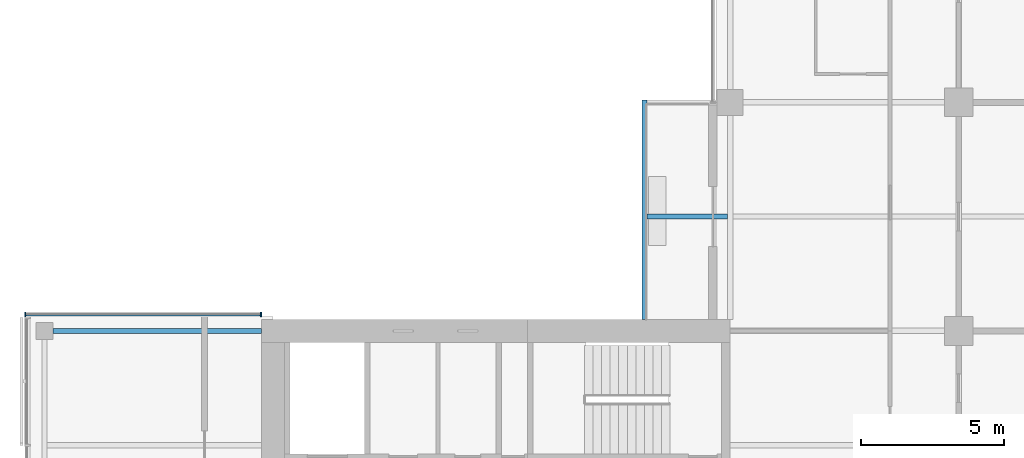
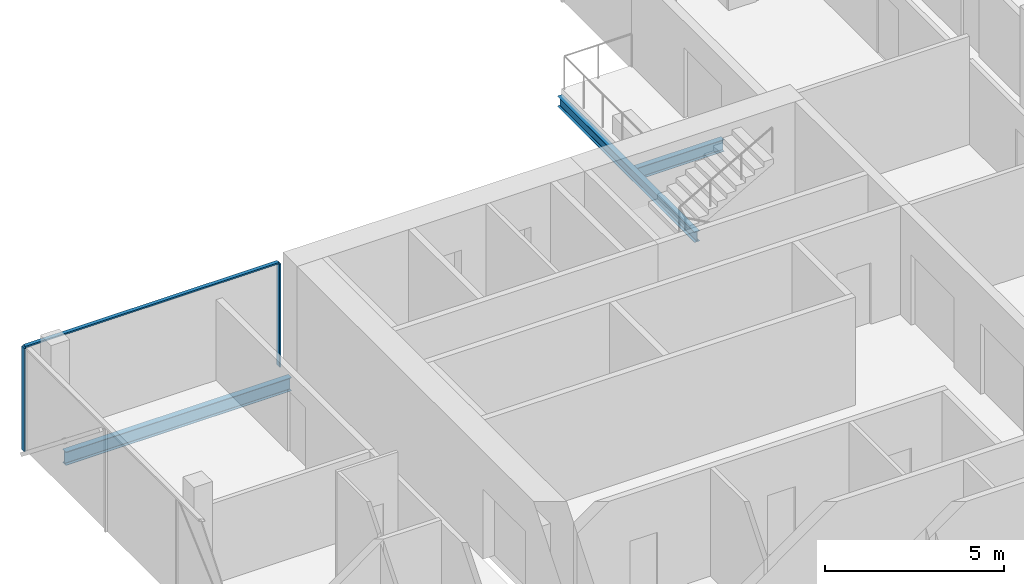
# One storey, part 8 of 27: 3 beams, 3 members, 1 element without a shape of its own.
"""IFC4 building model written with IfcOpenShell, lengths in metres."""

from ifc_helpers import new_model, si_unit, direction, frame, origin, origin_2d, place, context, subcontext, project, spatial, rectangle, i_section, extrude, material, material_profile, profile_set, type_object, element, aggregate, save


model = new_model("IFC4")

# Units and contexts
model_context = context("Model", 3, precision=1e-05, world=origin(), true_north=direction((0.0, 1.0)))
body_context = subcontext(model_context, "Body", "Model", "MODEL_VIEW")
ifc_project = project(units=[si_unit("LENGTHUNIT", "METRE"), si_unit("AREAUNIT", "SQUARE_METRE"), si_unit("VOLUMEUNIT", "CUBIC_METRE"), si_unit("PLANEANGLEUNIT", "RADIAN"), si_unit("MASSUNIT", "GRAM", prefix="KILO")], contexts=[model_context])

# Site, building, storey
site_placement = place(None, origin())
site = spatial("IfcSite", under=ifc_project, at=site_placement, CompositionType="ELEMENT")
building_placement = place(site_placement, origin())
building = spatial("IfcBuilding", under=site, at=building_placement, Name="Crosswind Convention Tower", CompositionType="ELEMENT")
storey_placement = place(building_placement, frame((0.0, 0.0, 101.60009765625)))
storey = spatial("IfcBuildingStorey", under=building, at=storey_placement, Name="L20", CompositionType="ELEMENT", Elevation=101.60009765625)

# Beams
ifc_material_1 = material(Name="Steel S355", Category="steel")
ifc_material_profile_1 = material_profile(ifc_material_1, i_section(OverallWidth=0.177734375, OverallDepth=0.406494140625, WebThickness=0.0078125, FlangeThickness=0.0126953125, FilletRadius=0.01025390625, at=origin_2d()), Name="UB 406x178x60")
ifc_profile_set_1 = profile_set([ifc_material_profile_1], Name="Steel S355")
beam_type_1 = type_object("IfcBeamType", Name="Balcony cantilever UB 406x178x60", PredefinedType="BEAM", material=ifc_profile_set_1)
beam_1_placement = place(storey_placement, frame((112.90478515625, 116.0, -0.4833984375), z_axis=(-1.0, 0.0, 0.0), x_axis=(0.0, -1.0, 0.0)))
element("IfcBeam", 1, at=beam_1_placement, inside=storey, type_object=beam_type_1, Name="B35 L20 balcony cantilever NW 4", PredefinedType="BEAM", context=body_context, shape_type="SweptSolid", body=[
    extrude(i_section(OverallWidth=0.177734375, OverallDepth=0.406494140625, WebThickness=0.0078125, FlangeThickness=0.0126953125, FilletRadius=0.01025390625, at=origin_2d()), origin(), (0.0, 0.0, 1.0), 2.8193359375),
])
ifc_material_profile_2 = material_profile(ifc_material_1, i_section(OverallWidth=0.1708984375, OverallDepth=0.35205078125, WebThickness=0.0068359375, FlangeThickness=0.009765625, FilletRadius=0.01025390625, at=origin_2d()), Name="UB 356x171x45")
ifc_profile_set_2 = profile_set([ifc_material_profile_2], Name="Steel S355")
beam_type_2 = type_object("IfcBeamType", Name="Balcony edge beam UB 356x171x45", PredefinedType="BEAM", material=ifc_profile_set_2)
beam_2_placement = place(storey_placement, frame((110.0, 112.39990234375, -0.4560546875), z_axis=(0.0, 1.0, 0.0), x_axis=(-1.0, 0.0, 0.0)))
element("IfcBeam", 2, at=beam_2_placement, inside=storey, type_object=beam_type_2, Name="B37 L20 balcony edge beam NW 6", PredefinedType="BEAM", context=body_context, shape_type="SweptSolid", body=[
    extrude(i_section(OverallWidth=0.1708984375, OverallDepth=0.35205078125, WebThickness=0.0068359375, FlangeThickness=0.009765625, FilletRadius=0.01025390625, at=origin_2d()), origin(), (0.0, 0.0, 1.0), 7.68896484375),
])
ifc_material_profile_3 = material_profile(ifc_material_1, i_section(OverallWidth=0.1904296875, OverallDepth=0.457275390625, WebThickness=0.009033203125, FlangeThickness=0.014404296875, FilletRadius=0.01025390625, at=origin_2d()), Name="UB 457x191x75")
ifc_profile_set_3 = profile_set([ifc_material_profile_3], Name="Steel S355")
beam_type_3 = type_object("IfcBeamType", Name="Edge beam UB 457x191x75", PredefinedType="SPANDREL", material=ifc_profile_set_3)
beam_3_placement = place(storey_placement, frame((89.300048828125, 112.0, -0.5087890625), z_axis=(1.0, 0.0, 0.0), x_axis=(0.0, 1.0, 0.0)))
element("IfcBeam", 3, at=beam_3_placement, inside=storey, type_object=beam_type_3, Name="B17 L20 edge beam 5", PredefinedType="SPANDREL", context=body_context, shape_type="SweptSolid", body=[
    extrude(i_section(OverallWidth=0.1904296875, OverallDepth=0.457275390625, WebThickness=0.009033203125, FlangeThickness=0.014404296875, FilletRadius=0.01025390625, at=origin_2d()), origin(), (0.0, 0.0, 1.0), 7.300048828125),
])

# Curtain wall, members
ifc_material_2 = material(Name="Aluminium unitised curtain wall", Category="aluminium")
curtain_wall_type = type_object("IfcCurtainWallType", Name="CORE END SLOT WALL 160", PredefinedType="USERDEFINED", material=ifc_material_2)
curtain_wall_placement = place(storey_placement, origin())
curtain_wall = element("IfcCurtainWall", 4, at=curtain_wall_placement, inside=storey, type_object=curtain_wall_type, Name="CW6 L20 W-N.2-1 slot", ObjectType="UNITISED", PredefinedType="USERDEFINED")
ifc_material_3 = material(Name="Aluminium mullion", Category="aluminium")
ifc_material_profile_4 = material_profile(ifc_material_3, rectangle(XDim=0.159912109375, YDim=0.050048828125, at=origin_2d()), Name="AL 160X50")
ifc_profile_set_4 = profile_set([ifc_material_profile_4], Name="Aluminium mullion")
member_type_1 = type_object("IfcMemberType", Name="MULLION 50X160", PredefinedType="MULLION", material=ifc_profile_set_4)
member_1_placement = place(storey_placement, frame((96.574951171875, 112.580078125, -0.280029296875), z_axis=(0.0, 0.0, 1.0), x_axis=(0.0, 1.0, 0.0)))
member_1 = element("IfcMember", 5, at=member_1_placement, type_object=member_type_1, Name="CW6 mullion 1", PredefinedType="MULLION", context=body_context, shape_type="SweptSolid", body=[
    extrude(rectangle(XDim=0.159912109375, YDim=0.050048828125, at=origin_2d()), origin(), (0.0, 0.0, 1.0), 3.530029296875),
])
member_2_placement = place(storey_placement, frame((88.324951171875, 112.580078125, -0.280029296875), z_axis=(0.0, 0.0, 1.0), x_axis=(0.0, 1.0, 0.0)))
member_2 = element("IfcMember", 6, at=member_2_placement, type_object=member_type_1, Name="CW6 mullion 2", PredefinedType="MULLION", context=body_context, shape_type="SweptSolid", body=[
    extrude(rectangle(XDim=0.159912109375, YDim=0.050048828125, at=origin_2d()), origin(), (0.0, 0.0, 1.0), 3.530029296875),
])
ifc_material_4 = material(Name="Aluminium transom", Category="aluminium")
ifc_material_profile_5 = material_profile(ifc_material_4, rectangle(XDim=0.1201171875, YDim=0.050048828125, at=origin_2d()), Name="AL 120X50")
ifc_profile_set_5 = profile_set([ifc_material_profile_5], Name="Aluminium transom")
member_type_2 = type_object("IfcMemberType", Name="TRANSOM 50X120", PredefinedType="USERDEFINED", material=ifc_profile_set_5)
member_3_placement = place(storey_placement, frame((96.550048828125, 112.580078125, 3.27490234375), z_axis=(-1.0, 0.0, 0.0), x_axis=(0.0, -1.0, 0.0)))
member_3 = element("IfcMember", 7, at=member_3_placement, type_object=member_type_2, Name="CW6 transom", ObjectType="TRANSOM", PredefinedType="USERDEFINED", context=body_context, shape_type="SweptSolid", body=[
    extrude(rectangle(XDim=0.1201171875, YDim=0.050048828125, at=origin_2d()), origin(), (0.0, 0.0, 1.0), 8.199951171875),
])
aggregate(curtain_wall, [member_1, member_2, member_3])

save(model, "model.ifc")
